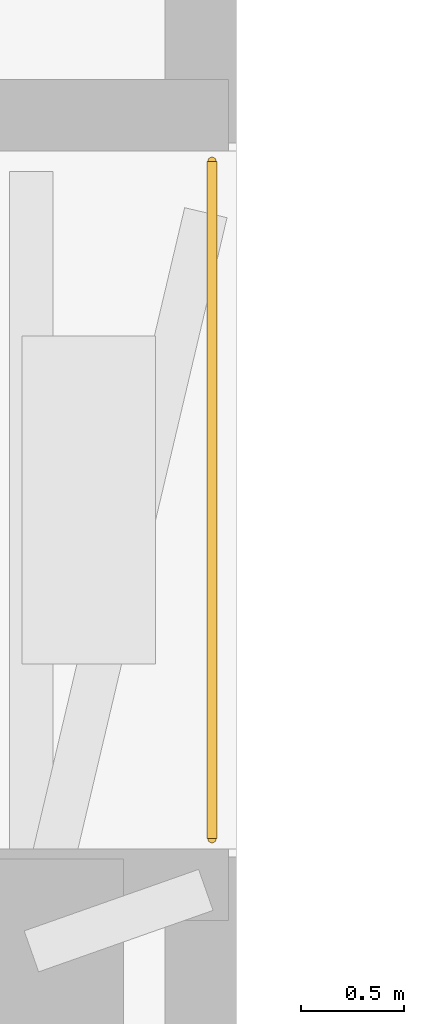
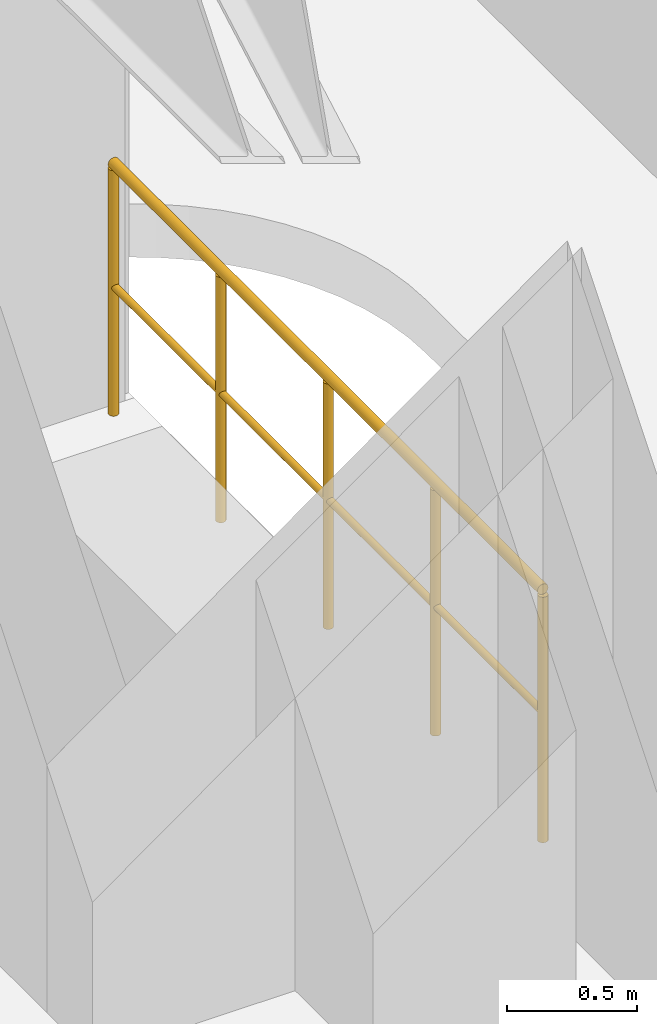
# One storey, part 10 of 10: 1 railing.
"""IFC4 building model written with IfcOpenShell, lengths in metres."""

from ifc_helpers import new_model, si_unit, direction, frame, origin, origin_2d, place, context, subcontext, project, spatial, circle, extrude, material, type_object, element, save


model = new_model("IFC4")

# Units and contexts
model_context = context("Model", 3, precision=1e-05, world=origin(), true_north=direction((0.0, 1.0)))
body_context = subcontext(model_context, "Body", "Model", "MODEL_VIEW")
ifc_project = project(units=[si_unit("LENGTHUNIT", "METRE"), si_unit("AREAUNIT", "SQUARE_METRE"), si_unit("VOLUMEUNIT", "CUBIC_METRE"), si_unit("PLANEANGLEUNIT", "RADIAN"), si_unit("MASSUNIT", "GRAM", prefix="KILO")], contexts=[model_context])

# Site, building, storey
site_placement = place(None, origin())
site = spatial("IfcSite", under=ifc_project, at=site_placement, CompositionType="ELEMENT")
building_placement = place(site_placement, origin())
building = spatial("IfcBuilding", under=site, at=building_placement, Name="Ventersveld Concourse Tower", CompositionType="ELEMENT")
storey_placement = place(building_placement, frame((0.0, 0.0, 92.60009765625)))
storey = spatial("IfcBuildingStorey", under=building, at=storey_placement, Name="L22", CompositionType="ELEMENT", Elevation=92.60009765625)

# Railing
ifc_material = material(Name="Brushed stainless steel 316", Category="steel")
railing_type = type_object("IfcRailingType", Name="GD-TER-120", PredefinedType="GUARDRAIL", material=ifc_material)
railing_placement = place(storey_placement, frame((54.780029296875, 24.14990234375, 0.0)))
element("IfcRailing", 1, at=railing_placement, inside=storey, type_object=railing_type, Name="L22 Outdoor Terrace Guardrail NOTCH-E", PredefinedType="GUARDRAIL", context=body_context, shape_type="SweptSolid", body=[
    extrude(circle(Radius=0.02392578125, at=origin_2d()), frame((0.0, 0.0, 1.17578125), z_axis=(0.0, 1.0, 0.0), x_axis=(-1.0, 0.0, 0.0)), (0.0, 0.0, 1.0), 3.300048828125),
    extrude(circle(Radius=0.01611328125, at=origin_2d()), frame((0.0, 0.0, 0.60009765625), z_axis=(0.0, 1.0, 0.0), x_axis=(-1.0, 0.0, 0.0)), (0.0, 0.0, 1.0), 3.300048828125),
    extrude(circle(Radius=0.02099609375, at=origin_2d()), origin(), (0.0, 0.0, 1.0), 1.15185546875),
    extrude(circle(Radius=0.02099609375, at=origin_2d()), frame((0.0, 0.824951171875, 0.0)), (0.0, 0.0, 1.0), 1.15185546875),
    extrude(circle(Radius=0.02099609375, at=origin_2d()), frame((0.0, 1.64990234375, 0.0)), (0.0, 0.0, 1.0), 1.15185546875),
    extrude(circle(Radius=0.02099609375, at=origin_2d()), frame((0.0, 2.47509765625, 0.0)), (0.0, 0.0, 1.0), 1.15185546875),
    extrude(circle(Radius=0.02099609375, at=origin_2d()), frame((0.0, 3.300048828125, 0.0)), (0.0, 0.0, 1.0), 1.15185546875),
])

save(model, "model.ifc")
